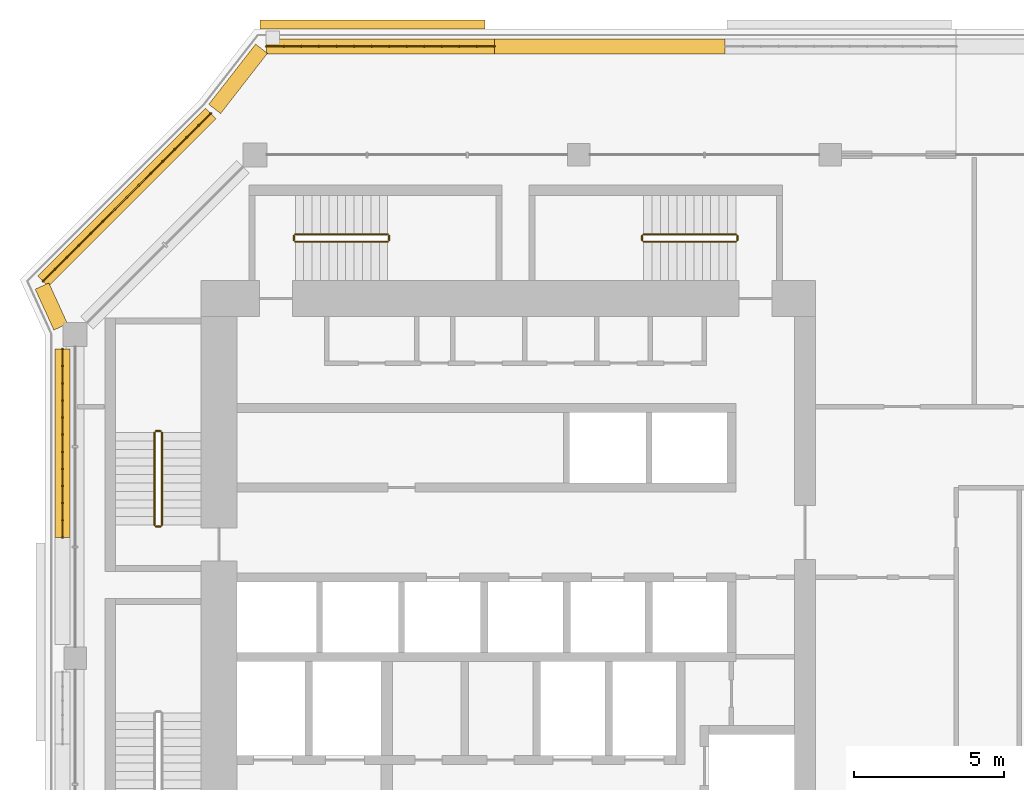
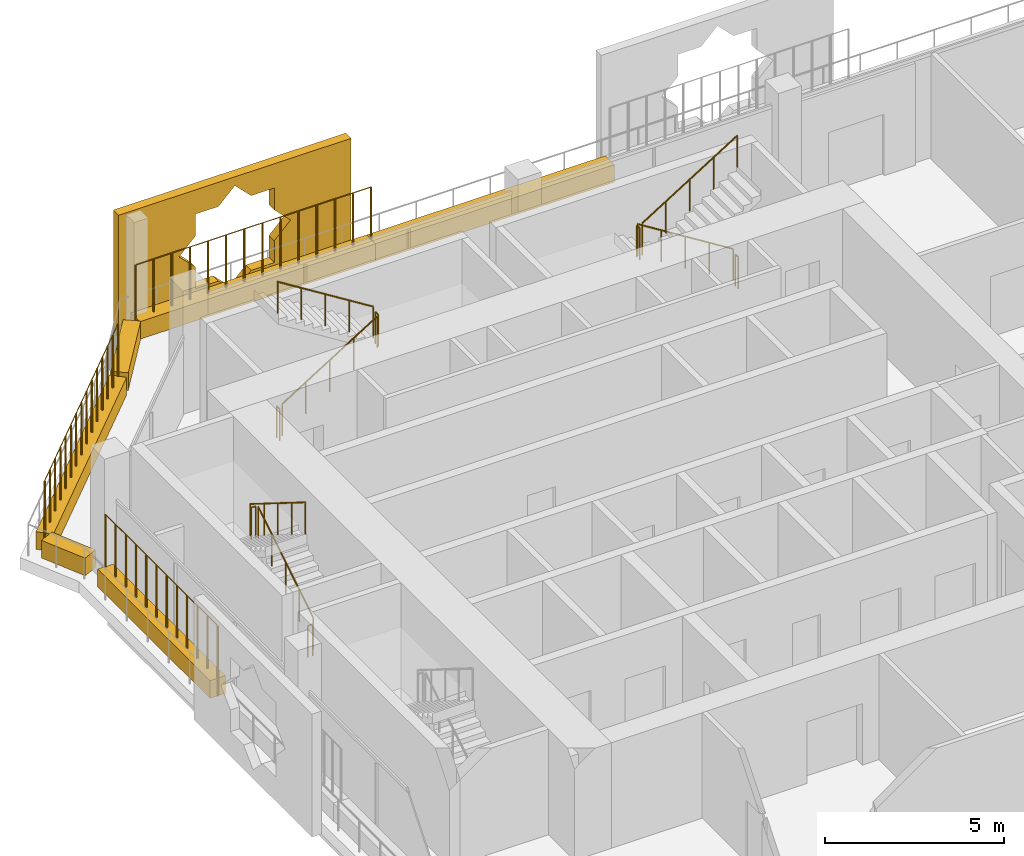
# One storey, part 20 of 23: 15 railings, 7 coverings.
"""IFC4 building model written with IfcOpenShell, lengths in metres."""

from ifc_helpers import new_model, si_unit, direction, frame, origin, origin_2d, place, context, subcontext, project, spatial, polyline, rectangle, circle, outline, extrude, material, material_profile, profile_set, type_object, element, save


model = new_model("IFC4")

# Units and contexts
model_context = context("Model", 3, precision=1e-05, world=origin(), true_north=direction((0.0, 1.0)))
body_context = subcontext(model_context, "Body", "Model", "MODEL_VIEW")
ifc_project = project(units=[si_unit("LENGTHUNIT", "METRE"), si_unit("AREAUNIT", "SQUARE_METRE"), si_unit("VOLUMEUNIT", "CUBIC_METRE"), si_unit("PLANEANGLEUNIT", "RADIAN"), si_unit("MASSUNIT", "GRAM", prefix="KILO")], contexts=[model_context])

# Site, building, storey
site_placement = place(None, origin())
site = spatial("IfcSite", under=ifc_project, at=site_placement, CompositionType="ELEMENT")
building_placement = place(site_placement, origin())
building = spatial("IfcBuilding", under=site, at=building_placement, Name="Kawkab Arch Medical Tower", CompositionType="ELEMENT")
storey_placement = place(building_placement, frame((0.0, 0.0, 281.800048828125)))
storey = spatial("IfcBuildingStorey", under=building, at=storey_placement, Name="L65", CompositionType="ELEMENT", Elevation=281.800048828125)

# Coverings
ifc_material_1 = material(Name="Bronze anodised aluminium mashrabiya panel, eight-point star pattern", Category="aluminium")
ifc_material_profile_1 = material_profile(ifc_material_1, outline(polyline([(-3.75, -2.10009765625), (3.75, -2.10009765625), (3.75, 2.10009765625), (-3.75, 2.10009765625), (-3.75, -2.10009765625)]), holes=[polyline([(1.800048828125, 0.0), (1.272705078125, 0.527099609375), (1.272705078125, 1.272705078125), (0.527099609375, 1.272705078125), (0.0, 1.800048828125), (-0.527099609375, 1.272705078125), (-1.272705078125, 1.272705078125), (-1.272705078125, 0.527099609375), (-1.800048828125, 0.0), (-1.272705078125, -0.527099609375), (-1.272705078125, -1.272705078125), (-0.527099609375, -1.272705078125), (0.0, -1.800048828125), (0.527099609375, -1.272705078125), (1.272705078125, -1.272705078125), (1.272705078125, -0.527099609375), (1.800048828125, 0.0)])]), Name="Mashrabiya panel 7500x4200")
ifc_profile_set_1 = profile_set([ifc_material_profile_1], Name="Bronze anodised aluminium mashrabiya panel, eight-point star pattern")
covering_type_1 = type_object("IfcCoveringType", Name="Mashrabiya panel 7500 x 4200", PredefinedType="USERDEFINED", material=ifc_profile_set_1)
covering_1_placement = place(storey_placement, frame((9.924072265625, 4.199951171875, 1.699951171875), z_axis=(0.0, 1.0, 0.0), x_axis=(-1.0, 0.0, 0.0)))
element("IfcCovering", 1, at=covering_1_placement, inside=storey, type_object=covering_type_1, Name="Mashrabiya panel L65.LOG-01-02.3", ObjectType="SCREEN", PredefinedType="USERDEFINED", context=body_context, shape_type="SweptSolid", body=[
    extrude(outline(polyline([(-3.75, -2.10009765625), (3.75, -2.10009765625), (3.75, 2.10009765625), (-3.75, 2.10009765625), (-3.75, -2.10009765625)]), holes=[polyline([(1.800048828125, 0.0), (1.272705078125, 0.527099609375), (1.272705078125, 1.272705078125), (0.527099609375, 1.272705078125), (0.0, 1.800048828125), (-0.527099609375, 1.272705078125), (-1.272705078125, 1.272705078125), (-1.272705078125, 0.527099609375), (-1.800048828125, 0.0), (-1.272705078125, -0.527099609375), (-1.272705078125, -1.272705078125), (-0.527099609375, -1.272705078125), (0.0, -1.800048828125), (0.527099609375, -1.272705078125), (1.272705078125, -1.272705078125), (1.272705078125, -0.527099609375), (1.800048828125, 0.0)])]), origin(), (0.0, 0.0, 1.0), 0.300048828125),
])
ifc_material_2 = material(Name="Planting soil in a precast trough", Category="concrete")
ifc_material_profile_2 = material_profile(ifc_material_2, rectangle(XDim=0.5, YDim=0.60009765625, at=origin_2d()), Name="Trough 500x600")
ifc_profile_set_2 = profile_set([ifc_material_profile_2], Name="Planting soil in a precast trough")
covering_type_2 = type_object("IfcCoveringType", Name="Planter trough 500 x 600", PredefinedType="USERDEFINED", material=ifc_profile_set_2)
covering_2_placement = place(storey_placement, frame((-0.419921875, -12.763916015625, 0.300048828125), z_axis=(0.0, 1.0, 0.0), x_axis=(-1.0, 0.0, 0.0)))
element("IfcCovering", 2, at=covering_2_placement, inside=storey, type_object=covering_type_2, Name="Planter L65.LOG-01-02.9", ObjectType="PLANTER", PredefinedType="USERDEFINED", context=body_context, shape_type="SweptSolid", body=[
    extrude(rectangle(XDim=0.5, YDim=0.60009765625, at=origin_2d()), origin(), (0.0, 0.0, 1.0), 6.283935546875),
])
covering_3_placement = place(storey_placement, frame((-0.47998046875, -5.741943359375, 0.300048828125), z_axis=(-0.415189748133, 0.909734836667, 0.0), x_axis=(-0.909734836667, -0.415189748133, 0.0)))
element("IfcCovering", 3, at=covering_3_placement, inside=storey, type_object=covering_type_2, Name="Planter L65.LOG-01-02.10", ObjectType="PLANTER", PredefinedType="USERDEFINED", context=body_context, shape_type="SweptSolid", body=[
    extrude(rectangle(XDim=0.5, YDim=0.60009765625, at=origin_2d()), origin(), (0.0, 0.0, 1.0), 1.498291015625),
])
covering_4_placement = place(storey_placement, frame((-1.072998046875, -4.217041015625, 0.300048828125), z_axis=(0.707106781187, 0.707106781187, 0.0), x_axis=(-0.707106781187, 0.707106781187, 0.0)))
element("IfcCovering", 4, at=covering_4_placement, inside=storey, type_object=covering_type_2, Name="Planter L65.LOG-01-02.11", ObjectType="PLANTER", PredefinedType="USERDEFINED", context=body_context, shape_type="SweptSolid", body=[
    extrude(rectangle(XDim=0.5, YDim=0.60009765625, at=origin_2d()), origin(), (0.0, 0.0, 1.0), 7.919677734375),
])
covering_5_placement = place(storey_placement, frame((4.658935546875, 1.531982421875, 0.300048828125), z_axis=(0.61404021143, 0.789274742246, 0.0), x_axis=(-0.789274742246, 0.61404021143, 0.0)))
element("IfcCovering", 5, at=covering_5_placement, inside=storey, type_object=covering_type_2, Name="Planter L65.LOG-01-02.12", ObjectType="PLANTER", PredefinedType="USERDEFINED", context=body_context, shape_type="SweptSolid", body=[
    extrude(rectangle(XDim=0.5, YDim=0.60009765625, at=origin_2d()), origin(), (0.0, 0.0, 1.0), 2.54541015625),
])
covering_6_placement = place(storey_placement, frame((6.384033203125, 3.6201171875, 0.300048828125), z_axis=(1.0, 0.0, 0.0), x_axis=(0.0, 1.0, 0.0)))
element("IfcCovering", 6, at=covering_6_placement, inside=storey, type_object=covering_type_2, Name="Planter L65.LOG-01-02.13", ObjectType="PLANTER", PredefinedType="USERDEFINED", context=body_context, shape_type="SweptSolid", body=[
    extrude(rectangle(XDim=0.5, YDim=0.60009765625, at=origin_2d()), origin(), (0.0, 0.0, 1.0), 7.60498046875),
])
covering_7_placement = place(storey_placement, frame((13.989013671875, 3.6201171875, 0.300048828125), z_axis=(1.0, 0.0, 0.0), x_axis=(0.0, 1.0, 0.0)))
element("IfcCovering", 7, at=covering_7_placement, inside=storey, type_object=covering_type_2, Name="Planter L65.LOG-01-02.14", ObjectType="PLANTER", PredefinedType="USERDEFINED", context=body_context, shape_type="SweptSolid", body=[
    extrude(rectangle(XDim=0.5, YDim=0.60009765625, at=origin_2d()), origin(), (0.0, 0.0, 1.0), 7.7060546875),
])

# Railings
ifc_material_3 = material(Name="Bronze anodised aluminium trellis for climbing plants", Category="aluminium")
railing_type_1 = type_object("IfcRailingType", Name="Planting trellis 2400", PredefinedType="USERDEFINED", material=ifc_material_3)
railing_1_placement = place(storey_placement, frame((-0.419921875, -12.763916015625, 0.0)))
element("IfcRailing", 8, at=railing_1_placement, inside=storey, type_object=railing_type_1, Name="Planting trellis L65.LOG-01-02.9", ObjectType="TRELLIS", PredefinedType="USERDEFINED", context=body_context, shape_type="SweptSolid", body=[
    extrude(circle(Radius=0.01513671875, at=origin_2d()), frame((0.0, 0.0, 2.384765625), z_axis=(0.0, 1.0, 0.0), x_axis=(-1.0, 0.0, 0.0)), (0.0, 0.0, 1.0), 6.283935546875),
    extrude(circle(Radius=0.030029296875, at=origin_2d()), origin(), (0.0, 0.0, 1.0), 2.369873046875),
    extrude(circle(Radius=0.030029296875, at=origin_2d()), frame((0.0, 0.5712890625, 0.0)), (0.0, 0.0, 1.0), 2.369873046875),
    extrude(circle(Radius=0.030029296875, at=origin_2d()), frame((0.0, 1.142578125, 0.0)), (0.0, 0.0, 1.0), 2.369873046875),
    extrude(circle(Radius=0.030029296875, at=origin_2d()), frame((0.0, 1.7138671875, 0.0)), (0.0, 0.0, 1.0), 2.369873046875),
    extrude(circle(Radius=0.030029296875, at=origin_2d()), frame((0.0, 2.28515625, 0.0)), (0.0, 0.0, 1.0), 2.369873046875),
    extrude(circle(Radius=0.030029296875, at=origin_2d()), frame((0.0, 2.8564453125, 0.0)), (0.0, 0.0, 1.0), 2.369873046875),
    extrude(circle(Radius=0.030029296875, at=origin_2d()), frame((0.0, 3.427490234375, 0.0)), (0.0, 0.0, 1.0), 2.369873046875),
    extrude(circle(Radius=0.030029296875, at=origin_2d()), frame((0.0, 3.998779296875, 0.0)), (0.0, 0.0, 1.0), 2.369873046875),
    extrude(circle(Radius=0.030029296875, at=origin_2d()), frame((0.0, 4.570068359375, 0.0)), (0.0, 0.0, 1.0), 2.369873046875),
    extrude(circle(Radius=0.030029296875, at=origin_2d()), frame((0.0, 5.141357421875, 0.0)), (0.0, 0.0, 1.0), 2.369873046875),
    extrude(circle(Radius=0.030029296875, at=origin_2d()), frame((0.0, 5.712646484375, 0.0)), (0.0, 0.0, 1.0), 2.369873046875),
    extrude(circle(Radius=0.030029296875, at=origin_2d()), frame((0.0, 6.283935546875, 0.0)), (0.0, 0.0, 1.0), 2.369873046875),
])
railing_2_placement = place(storey_placement, frame((-1.072998046875, -4.217041015625, 0.0)))
element("IfcRailing", 9, at=railing_2_placement, inside=storey, type_object=railing_type_1, Name="Planting trellis L65.LOG-01-02.11", ObjectType="TRELLIS", PredefinedType="USERDEFINED", context=body_context, shape_type="SweptSolid", body=[
    extrude(circle(Radius=0.01513671875, at=origin_2d()), frame((0.0, 0.0, 2.384765625), z_axis=(0.707106781187, 0.707106781187, 0.0), x_axis=(-0.707106781187, 0.707106781187, 0.0)), (0.0, 0.0, 1.0), 7.919677734375),
    extrude(circle(Radius=0.030029296875, at=origin_2d()), origin(), (0.0, 0.0, 1.0), 2.369873046875),
    extrude(circle(Radius=0.030029296875, at=origin_2d()), frame((0.39990234375, 0.39990234375, 0.0)), (0.0, 0.0, 1.0), 2.369873046875),
    extrude(circle(Radius=0.030029296875, at=origin_2d()), frame((0.800048828125, 0.800048828125, 0.0)), (0.0, 0.0, 1.0), 2.369873046875),
    extrude(circle(Radius=0.030029296875, at=origin_2d()), frame((1.199951171875, 1.199951171875, 0.0)), (0.0, 0.0, 1.0), 2.369873046875),
    extrude(circle(Radius=0.030029296875, at=origin_2d()), frame((1.60009765625, 1.60009765625, 0.0)), (0.0, 0.0, 1.0), 2.369873046875),
    extrude(circle(Radius=0.030029296875, at=origin_2d()), frame((2.0, 2.0, 0.0)), (0.0, 0.0, 1.0), 2.369873046875),
    extrude(circle(Radius=0.030029296875, at=origin_2d()), frame((2.400146484375, 2.400146484375, 0.0)), (0.0, 0.0, 1.0), 2.369873046875),
    extrude(circle(Radius=0.030029296875, at=origin_2d()), frame((2.800048828125, 2.800048828125, 0.0)), (0.0, 0.0, 1.0), 2.369873046875),
    extrude(circle(Radius=0.030029296875, at=origin_2d()), frame((3.199951171875, 3.199951171875, 0.0)), (0.0, 0.0, 1.0), 2.369873046875),
    extrude(circle(Radius=0.030029296875, at=origin_2d()), frame((3.60009765625, 3.60009765625, 0.0)), (0.0, 0.0, 1.0), 2.369873046875),
    extrude(circle(Radius=0.030029296875, at=origin_2d()), frame((4.0, 4.0, 0.0)), (0.0, 0.0, 1.0), 2.369873046875),
    extrude(circle(Radius=0.030029296875, at=origin_2d()), frame((4.400146484375, 4.400146484375, 0.0)), (0.0, 0.0, 1.0), 2.369873046875),
    extrude(circle(Radius=0.030029296875, at=origin_2d()), frame((4.800048828125, 4.800048828125, 0.0)), (0.0, 0.0, 1.0), 2.369873046875),
    extrude(circle(Radius=0.030029296875, at=origin_2d()), frame((5.2001953125, 5.2001953125, 0.0)), (0.0, 0.0, 1.0), 2.369873046875),
    extrude(circle(Radius=0.030029296875, at=origin_2d()), frame((5.60009765625, 5.60009765625, 0.0)), (0.0, 0.0, 1.0), 2.369873046875),
])
railing_3_placement = place(storey_placement, frame((6.384033203125, 3.6201171875, 0.0)))
element("IfcRailing", 10, at=railing_3_placement, inside=storey, type_object=railing_type_1, Name="Planting trellis L65.LOG-01-02.13", ObjectType="TRELLIS", PredefinedType="USERDEFINED", context=body_context, shape_type="SweptSolid", body=[
    extrude(circle(Radius=0.01513671875, at=origin_2d()), frame((0.0, 0.0, 2.384765625), z_axis=(1.0, 0.0, 0.0), x_axis=(0.0, 1.0, 0.0)), (0.0, 0.0, 1.0), 7.60498046875),
    extrude(circle(Radius=0.030029296875, at=origin_2d()), origin(), (0.0, 0.0, 1.0), 2.369873046875),
    extrude(circle(Radius=0.030029296875, at=origin_2d()), frame((0.5849609375, 0.0, 0.0)), (0.0, 0.0, 1.0), 2.369873046875),
    extrude(circle(Radius=0.030029296875, at=origin_2d()), frame((1.169921875, 0.0, 0.0)), (0.0, 0.0, 1.0), 2.369873046875),
    extrude(circle(Radius=0.030029296875, at=origin_2d()), frame((1.7548828125, 0.0, 0.0)), (0.0, 0.0, 1.0), 2.369873046875),
    extrude(circle(Radius=0.030029296875, at=origin_2d()), frame((2.340087890625, 0.0, 0.0)), (0.0, 0.0, 1.0), 2.369873046875),
    extrude(circle(Radius=0.030029296875, at=origin_2d()), frame((2.925048828125, 0.0, 0.0)), (0.0, 0.0, 1.0), 2.369873046875),
    extrude(circle(Radius=0.030029296875, at=origin_2d()), frame((3.510009765625, 0.0, 0.0)), (0.0, 0.0, 1.0), 2.369873046875),
    extrude(circle(Radius=0.030029296875, at=origin_2d()), frame((4.094970703125, 0.0, 0.0)), (0.0, 0.0, 1.0), 2.369873046875),
    extrude(circle(Radius=0.030029296875, at=origin_2d()), frame((4.679931640625, 0.0, 0.0)), (0.0, 0.0, 1.0), 2.369873046875),
    extrude(circle(Radius=0.030029296875, at=origin_2d()), frame((5.264892578125, 0.0, 0.0)), (0.0, 0.0, 1.0), 2.369873046875),
    extrude(circle(Radius=0.030029296875, at=origin_2d()), frame((5.85009765625, 0.0, 0.0)), (0.0, 0.0, 1.0), 2.369873046875),
    extrude(circle(Radius=0.030029296875, at=origin_2d()), frame((6.43505859375, 0.0, 0.0)), (0.0, 0.0, 1.0), 2.369873046875),
    extrude(circle(Radius=0.030029296875, at=origin_2d()), frame((7.02001953125, 0.0, 0.0)), (0.0, 0.0, 1.0), 2.369873046875),
    extrude(circle(Radius=0.030029296875, at=origin_2d()), frame((7.60498046875, 0.0, 0.0)), (0.0, 0.0, 1.0), 2.369873046875),
])
ifc_material_4 = material(Name="Stainless steel", Category="steel")
railing_type_2 = type_object("IfcRailingType", Name="Stair guard 1100", PredefinedType="GUARDRAIL", material=ifc_material_4)
railing_4_placement = place(storey_placement, frame((2.89990234375, -12.35009765625, 0.175048828125)))
element("IfcRailing", 11, at=railing_4_placement, inside=storey, type_object=railing_type_2, Name="L65 ST1 stair guard 1", PredefinedType="GUARDRAIL", context=body_context, shape_type="SweptSolid", body=[
    extrude(circle(Radius=0.02392578125, at=origin_2d()), frame((0.0, 0.0, 1.076171875), z_axis=(0.0, 0.848028513186, 0.529950602248), x_axis=(-1.0, 0.0, 0.0)), (0.0, 0.0, 1.0), 3.632080078125),
    extrude(circle(Radius=0.02099609375, at=origin_2d()), origin(), (0.0, 0.0, 1.0), 1.052001953125),
    extrude(circle(Radius=0.02099609375, at=origin_2d()), frame((0.0, 0.77001953125, 0.481201171875)), (0.0, 0.0, 1.0), 1.052001953125),
    extrude(circle(Radius=0.02099609375, at=origin_2d()), frame((0.0, 1.5400390625, 0.96240234375)), (0.0, 0.0, 1.0), 1.052001953125),
    extrude(circle(Radius=0.02099609375, at=origin_2d()), frame((0.0, 2.31005859375, 1.443603515625)), (0.0, 0.0, 1.0), 1.052001953125),
    extrude(circle(Radius=0.02099609375, at=origin_2d()), frame((0.0, 3.080078125, 1.9248046875)), (0.0, 0.0, 1.0), 1.052001953125),
])
railing_5_placement = place(storey_placement, frame((2.85009765625, -9.219970703125, 2.099853515625)))
element("IfcRailing", 12, at=railing_5_placement, inside=storey, type_object=railing_type_2, Name="L65 ST1 stair guard 2", PredefinedType="GUARDRAIL", context=body_context, shape_type="SweptSolid", body=[
    extrude(circle(Radius=0.02392578125, at=origin_2d()), frame((0.0, 0.0, 1.076171875), z_axis=(-1.0, 0.0, 0.0), x_axis=(0.0, -1.0, 0.0)), (0.0, 0.0, 1.0), 0.150146484375),
    extrude(circle(Radius=0.02099609375, at=origin_2d()), origin(), (0.0, 0.0, 1.0), 1.052001953125),
    extrude(circle(Radius=0.02099609375, at=origin_2d()), frame((-0.150146484375, 0.0, 0.0)), (0.0, 0.0, 1.0), 1.052001953125),
])
railing_6_placement = place(storey_placement, frame((2.64990234375, -9.27001953125, 2.27490234375)))
element("IfcRailing", 13, at=railing_6_placement, inside=storey, type_object=railing_type_2, Name="L65 ST1 stair guard 3", PredefinedType="GUARDRAIL", context=body_context, shape_type="SweptSolid", body=[
    extrude(circle(Radius=0.02392578125, at=origin_2d()), frame((0.0, 0.0, 1.076171875), z_axis=(0.0, -0.847998304005, 0.529998940003), x_axis=(1.0, 0.0, 0.0)), (0.0, 0.0, 1.0), 3.632080078125),
    extrude(circle(Radius=0.02099609375, at=origin_2d()), origin(), (0.0, 0.0, 1.0), 1.052001953125),
    extrude(circle(Radius=0.02099609375, at=origin_2d()), frame((0.0, -0.77001953125, 0.481201171875)), (0.0, 0.0, 1.0), 1.052001953125),
    extrude(circle(Radius=0.02099609375, at=origin_2d()), frame((0.0, -1.5400390625, 0.96240234375)), (0.0, 0.0, 1.0), 1.052001953125),
    extrude(circle(Radius=0.02099609375, at=origin_2d()), frame((0.0, -2.31005859375, 1.44384765625)), (0.0, 0.0, 1.0), 1.052001953125),
    extrude(circle(Radius=0.02099609375, at=origin_2d()), frame((0.0, -3.080078125, 1.925048828125)), (0.0, 0.0, 1.0), 1.052001953125),
])
railing_7_placement = place(storey_placement, frame((2.85009765625, -12.39990234375, 0.0)))
element("IfcRailing", 14, at=railing_7_placement, inside=storey, type_object=railing_type_2, Name="L65 ST1 stair guard 4", PredefinedType="GUARDRAIL", context=body_context, shape_type="SweptSolid", body=[
    extrude(circle(Radius=0.02392578125, at=origin_2d()), frame((0.0, 0.0, 1.076171875), z_axis=(-1.0, 0.0, 0.0), x_axis=(0.0, -1.0, 0.0)), (0.0, 0.0, 1.0), 0.150146484375),
    extrude(circle(Radius=0.02099609375, at=origin_2d()), origin(), (0.0, 0.0, 1.0), 1.052001953125),
    extrude(circle(Radius=0.02099609375, at=origin_2d()), frame((-0.150146484375, 0.0, 0.0)), (0.0, 0.0, 1.0), 1.052001953125),
])
railing_8_placement = place(storey_placement, frame((7.35009765625, -2.89990234375, 0.175048828125)))
element("IfcRailing", 15, at=railing_8_placement, inside=storey, type_object=railing_type_2, Name="L65 ST3 stair guard 1", PredefinedType="GUARDRAIL", context=body_context, shape_type="SweptSolid", body=[
    extrude(circle(Radius=0.02392578125, at=origin_2d()), frame((0.0, 0.0, 1.076171875), z_axis=(0.848009633417, 0.0, 0.529980812513), x_axis=(0.0, 1.0, 0.0)), (0.0, 0.0, 1.0), 3.6318359375),
    extrude(circle(Radius=0.02099609375, at=origin_2d()), origin(), (0.0, 0.0, 1.0), 1.052001953125),
    extrude(circle(Radius=0.02099609375, at=origin_2d()), frame((0.77001953125, 0.0, 0.481201171875)), (0.0, 0.0, 1.0), 1.052001953125),
    extrude(circle(Radius=0.02099609375, at=origin_2d()), frame((1.5400390625, 0.0, 0.96240234375)), (0.0, 0.0, 1.0), 1.052001953125),
    extrude(circle(Radius=0.02099609375, at=origin_2d()), frame((2.309814453125, 0.0, 1.443603515625)), (0.0, 0.0, 1.0), 1.052001953125),
    extrude(circle(Radius=0.02099609375, at=origin_2d()), frame((3.079833984375, 0.0, 1.9248046875)), (0.0, 0.0, 1.0), 1.052001953125),
])
railing_9_placement = place(storey_placement, frame((10.47998046875, -2.85009765625, 2.099853515625)))
element("IfcRailing", 16, at=railing_9_placement, inside=storey, type_object=railing_type_2, Name="L65 ST3 stair guard 2", PredefinedType="GUARDRAIL", context=body_context, shape_type="SweptSolid", body=[
    extrude(circle(Radius=0.02392578125, at=origin_2d()), frame((0.0, 0.0, 1.076171875), z_axis=(0.0, 1.0, 0.0), x_axis=(-1.0, 0.0, 0.0)), (0.0, 0.0, 1.0), 0.150146484375),
    extrude(circle(Radius=0.02099609375, at=origin_2d()), origin(), (0.0, 0.0, 1.0), 1.052001953125),
    extrude(circle(Radius=0.02099609375, at=origin_2d()), frame((0.0, 0.150146484375, 0.0)), (0.0, 0.0, 1.0), 1.052001953125),
])
railing_10_placement = place(storey_placement, frame((10.429931640625, -2.64990234375, 2.27490234375)))
element("IfcRailing", 17, at=railing_10_placement, inside=storey, type_object=railing_type_2, Name="L65 ST3 stair guard 3", PredefinedType="GUARDRAIL", context=body_context, shape_type="SweptSolid", body=[
    extrude(circle(Radius=0.02392578125, at=origin_2d()), frame((0.0, 0.0, 1.076171875), z_axis=(-0.847979421464, 0.0, 0.530029150871), x_axis=(0.0, -1.0, 0.0)), (0.0, 0.0, 1.0), 3.632080078125),
    extrude(circle(Radius=0.02099609375, at=origin_2d()), origin(), (0.0, 0.0, 1.0), 1.052001953125),
    extrude(circle(Radius=0.02099609375, at=origin_2d()), frame((-0.77001953125, 0.0, 0.481201171875)), (0.0, 0.0, 1.0), 1.052001953125),
    extrude(circle(Radius=0.02099609375, at=origin_2d()), frame((-1.5400390625, 0.0, 0.96240234375)), (0.0, 0.0, 1.0), 1.052001953125),
    extrude(circle(Radius=0.02099609375, at=origin_2d()), frame((-2.309814453125, 0.0, 1.44384765625)), (0.0, 0.0, 1.0), 1.052001953125),
    extrude(circle(Radius=0.02099609375, at=origin_2d()), frame((-3.079833984375, 0.0, 1.925048828125)), (0.0, 0.0, 1.0), 1.052001953125),
])
railing_11_placement = place(storey_placement, frame((7.300048828125, -2.85009765625, 0.0)))
element("IfcRailing", 18, at=railing_11_placement, inside=storey, type_object=railing_type_2, Name="L65 ST3 stair guard 4", PredefinedType="GUARDRAIL", context=body_context, shape_type="SweptSolid", body=[
    extrude(circle(Radius=0.02392578125, at=origin_2d()), frame((0.0, 0.0, 1.076171875), z_axis=(0.0, 1.0, 0.0), x_axis=(-1.0, 0.0, 0.0)), (0.0, 0.0, 1.0), 0.150146484375),
    extrude(circle(Radius=0.02099609375, at=origin_2d()), origin(), (0.0, 0.0, 1.0), 1.052001953125),
    extrude(circle(Radius=0.02099609375, at=origin_2d()), frame((0.0, 0.150146484375, 0.0)), (0.0, 0.0, 1.0), 1.052001953125),
])
railing_12_placement = place(storey_placement, frame((22.050048828125, -2.64990234375, 0.175048828125)))
element("IfcRailing", 19, at=railing_12_placement, inside=storey, type_object=railing_type_2, Name="L65 ST4 stair guard 1", PredefinedType="GUARDRAIL", context=body_context, shape_type="SweptSolid", body=[
    extrude(circle(Radius=0.02392578125, at=origin_2d()), frame((0.0, 0.0, 1.076171875), z_axis=(-0.848028513186, 0.0, 0.529950602248), x_axis=(0.0, -1.0, 0.0)), (0.0, 0.0, 1.0), 3.632080078125),
    extrude(circle(Radius=0.02099609375, at=origin_2d()), origin(), (0.0, 0.0, 1.0), 1.052001953125),
    extrude(circle(Radius=0.02099609375, at=origin_2d()), frame((-0.77001953125, 0.0, 0.481201171875)), (0.0, 0.0, 1.0), 1.052001953125),
    extrude(circle(Radius=0.02099609375, at=origin_2d()), frame((-1.5400390625, 0.0, 0.96240234375)), (0.0, 0.0, 1.0), 1.052001953125),
    extrude(circle(Radius=0.02099609375, at=origin_2d()), frame((-2.31005859375, 0.0, 1.443603515625)), (0.0, 0.0, 1.0), 1.052001953125),
    extrude(circle(Radius=0.02099609375, at=origin_2d()), frame((-3.080078125, 0.0, 1.9248046875)), (0.0, 0.0, 1.0), 1.052001953125),
])
railing_13_placement = place(storey_placement, frame((18.919921875, -2.699951171875, 2.099853515625)))
element("IfcRailing", 20, at=railing_13_placement, inside=storey, type_object=railing_type_2, Name="L65 ST4 stair guard 2", PredefinedType="GUARDRAIL", context=body_context, shape_type="SweptSolid", body=[
    extrude(circle(Radius=0.02392578125, at=origin_2d()), frame((0.0, 0.0, 1.076171875), z_axis=(0.0, -1.0, 0.0), x_axis=(1.0, 0.0, 0.0)), (0.0, 0.0, 1.0), 0.150146484375),
    extrude(circle(Radius=0.02099609375, at=origin_2d()), origin(), (0.0, 0.0, 1.0), 1.052001953125),
    extrude(circle(Radius=0.02099609375, at=origin_2d()), frame((0.0, -0.150146484375, 0.0)), (0.0, 0.0, 1.0), 1.052001953125),
])
railing_14_placement = place(storey_placement, frame((18.969970703125, -2.89990234375, 2.27490234375)))
element("IfcRailing", 21, at=railing_14_placement, inside=storey, type_object=railing_type_2, Name="L65 ST4 stair guard 3", PredefinedType="GUARDRAIL", context=body_context, shape_type="SweptSolid", body=[
    extrude(circle(Radius=0.02392578125, at=origin_2d()), frame((0.0, 0.0, 1.076171875), z_axis=(0.847998304005, 0.0, 0.529998940003), x_axis=(0.0, 1.0, 0.0)), (0.0, 0.0, 1.0), 3.632080078125),
    extrude(circle(Radius=0.02099609375, at=origin_2d()), origin(), (0.0, 0.0, 1.0), 1.052001953125),
    extrude(circle(Radius=0.02099609375, at=origin_2d()), frame((0.77001953125, 0.0, 0.481201171875)), (0.0, 0.0, 1.0), 1.052001953125),
    extrude(circle(Radius=0.02099609375, at=origin_2d()), frame((1.5400390625, 0.0, 0.96240234375)), (0.0, 0.0, 1.0), 1.052001953125),
    extrude(circle(Radius=0.02099609375, at=origin_2d()), frame((2.31005859375, 0.0, 1.44384765625)), (0.0, 0.0, 1.0), 1.052001953125),
    extrude(circle(Radius=0.02099609375, at=origin_2d()), frame((3.080078125, 0.0, 1.925048828125)), (0.0, 0.0, 1.0), 1.052001953125),
])
railing_15_placement = place(storey_placement, frame((22.10009765625, -2.699951171875, 0.0)))
element("IfcRailing", 22, at=railing_15_placement, inside=storey, type_object=railing_type_2, Name="L65 ST4 stair guard 4", PredefinedType="GUARDRAIL", context=body_context, shape_type="SweptSolid", body=[
    extrude(circle(Radius=0.02392578125, at=origin_2d()), frame((0.0, 0.0, 1.076171875), z_axis=(0.0, -1.0, 0.0), x_axis=(1.0, 0.0, 0.0)), (0.0, 0.0, 1.0), 0.150146484375),
    extrude(circle(Radius=0.02099609375, at=origin_2d()), origin(), (0.0, 0.0, 1.0), 1.052001953125),
    extrude(circle(Radius=0.02099609375, at=origin_2d()), frame((0.0, -0.150146484375, 0.0)), (0.0, 0.0, 1.0), 1.052001953125),
])

save(model, "model.ifc")
